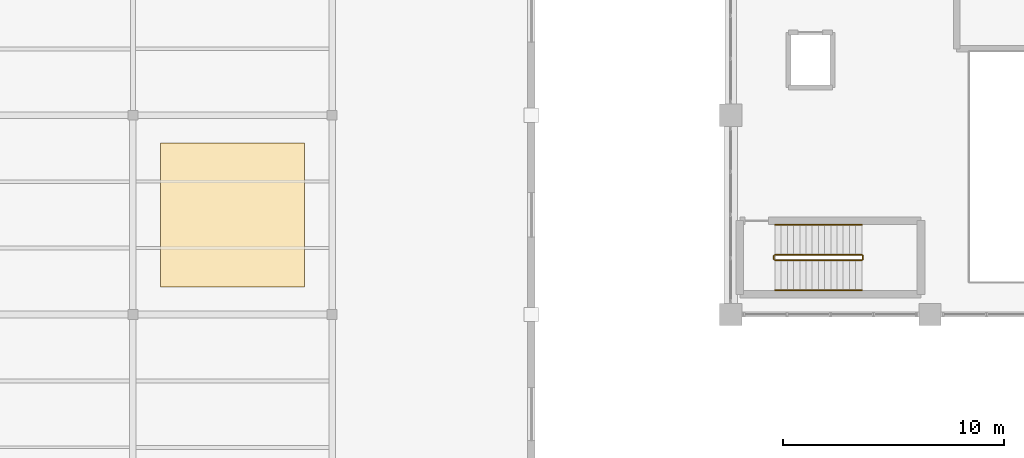
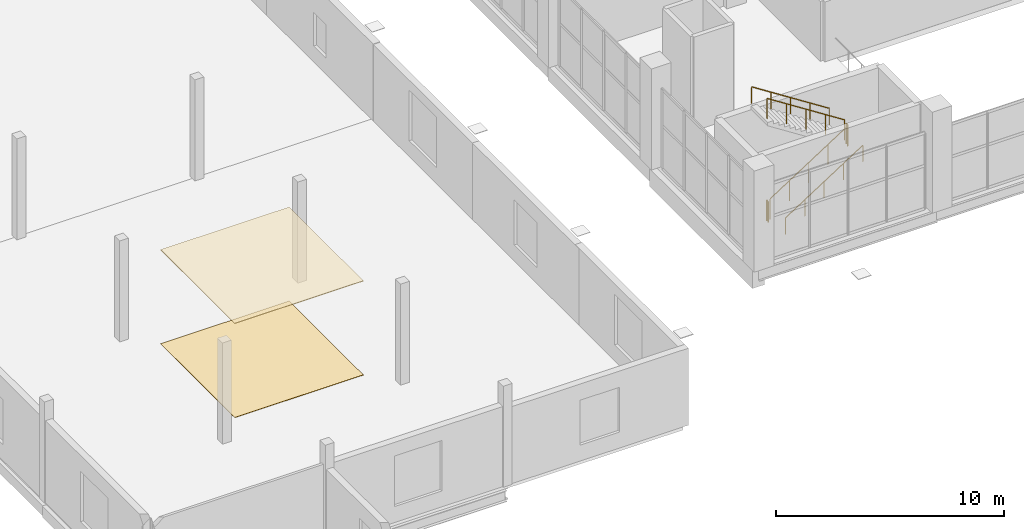
# One storey, part 138 of 147: 6 railings, 2 coverings.
"""IFC4 building model written with IfcOpenShell, lengths in metres."""

import ifcopenshell
import ifcopenshell.guid

model = None  # the IFC model being written
_history = None  # IfcOwnerHistory: only IFC2X3 demands one
_inside = {}  # id of a spatial element -> (the spatial element, [elements in it])
_under = {}  # id of a project, library or spatial element -> (it, [spatial elements below it])
_declared = {}  # id of a project -> (the project, [libraries it declares])
_typed = {}  # id of a type object -> (the type object, [elements of that type])
_made_of = {}  # id of a material, layer set ... -> (it, [elements and type objects made of it])


def new_model(schema):
    """Start an empty IFC model of exactly this schema.

    Asked for "IFC4X3", IfcOpenShell would pick the latest addendum, in which some entities
    have other attributes; the version numbers below select the first issue.
    IFC2X3 requires an IfcOwnerHistory on every rooted entity: one is made here for all.
    """
    global model, _history
    if schema == "IFC4X3":
        model = ifcopenshell.file(schema_version=(4, 3, 0, 0))
    else:
        model = ifcopenshell.file(schema=schema)
    _inside.clear()
    _under.clear()
    _declared.clear()
    _typed.clear()
    _made_of.clear()
    _history = None
    if model.schema == "IFC2X3":
        org = make("IfcOrganization", Name="unknown")
        user = make(
            "IfcPersonAndOrganization",
            ThePerson=make("IfcPerson", FamilyName="unknown"),
            TheOrganization=org,
        )
        app = make(
            "IfcApplication",
            ApplicationDeveloper=org,
            Version="unknown",
            ApplicationFullName="unknown",
            ApplicationIdentifier="unknown",
        )
        _history = make(
            "IfcOwnerHistory",
            OwningUser=user,
            OwningApplication=app,
            ChangeAction="ADDED",
            CreationDate=0,
        )
    return model


def make(cls, **values):
    """One entity of the class cls with the attributes given. An attribute that is None is left unset."""
    return model.create_entity(
        cls, **{name: value for name, value in values.items() if value is not None}
    )


def rooted(cls, **values):
    """An entity with a GlobalId (a new one), such as an element, a storey or a relation."""
    return make(cls, GlobalId=ifcopenshell.guid.new(), OwnerHistory=_history, **values)


def si_unit(unit_type, name, prefix=None):
    """IfcSIUnit, for example si_unit("LENGTHUNIT", "METRE", prefix="MILLI")."""
    return make("IfcSIUnit", UnitType=unit_type, Prefix=prefix, Name=name)


def assignment(units):
    """IfcUnitAssignment: the units of a project."""
    return None if units is None else make("IfcUnitAssignment", Units=units)


def point(xyz):
    """IfcCartesianPoint."""
    return None if xyz is None else make("IfcCartesianPoint", Coordinates=xyz)


def direction(xyz):
    """IfcDirection."""
    return None if xyz is None else make("IfcDirection", DirectionRatios=xyz)


def frame(location, z_axis=None, x_axis=None):
    """IfcAxis2Placement3D, a coordinate frame: its origin and axes. An axis left out is left unset."""
    return make(
        "IfcAxis2Placement3D",
        Location=point(location),
        Axis=direction(z_axis),
        RefDirection=direction(x_axis),
    )


def frame_2d(location, x_axis=None):
    """IfcAxis2Placement2D, a coordinate frame in the plane: its origin and x axis."""
    return make(
        "IfcAxis2Placement2D", Location=point(location), RefDirection=direction(x_axis)
    )


def origin():
    """The frame at (0, 0, 0) with its axes left unset."""
    return frame((0.0, 0.0, 0.0))


def origin_2d():
    """The frame at (0, 0) in the plane with its x axis left unset."""
    return frame_2d((0.0, 0.0))


def place(relative_to, where):
    """IfcLocalPlacement: puts the frame where relative to a parent placement (None: the world)."""
    return make(
        "IfcLocalPlacement", PlacementRelTo=relative_to, RelativePlacement=where
    )


def context(
    kind, dimensions, precision=None, world=None, true_north=None, identifier=None
):
    """IfcGeometricRepresentationContext, for example the 3D "Model" context."""
    return make(
        "IfcGeometricRepresentationContext",
        ContextIdentifier=identifier,
        ContextType=kind,
        CoordinateSpaceDimension=dimensions,
        Precision=precision,
        WorldCoordinateSystem=world,
        TrueNorth=true_north,
    )


def subcontext(parent, identifier, kind, view, scale=None):
    """IfcGeometricRepresentationSubContext, for example "Body" below "Model"."""
    return make(
        "IfcGeometricRepresentationSubContext",
        ContextIdentifier=identifier,
        ContextType=kind,
        ParentContext=parent,
        TargetScale=scale,
        TargetView=view,
    )


def project(units=None, contexts=None):
    """IfcProject with its units and contexts."""
    return rooted(
        "IfcProject",
        Name="project",
        RepresentationContexts=contexts,
        UnitsInContext=assignment(units),
    )


def spatial(cls, under=None, at=None, **own):
    """A site, building, storey or space (cls), placed at a placement, below another one or the project."""
    s = rooted(cls, ObjectPlacement=at, **own)
    if under is not None:
        _under.setdefault(under.id(), (under, []))[1].append(s)
    return s


def profile(cls, at=None, kind="AREA", **sizes):
    """A parametric profile (cls). Its sizes go by their IFC names, for example OverallWidth=200.0."""
    return make(cls, ProfileType=kind, Position=at, **sizes)


def rectangle(**sizes):
    """IfcRectangleProfileDef."""
    return profile("IfcRectangleProfileDef", **sizes)


def circle(**sizes):
    """IfcCircleProfileDef."""
    return profile("IfcCircleProfileDef", **sizes)


def extrude(swept, where, along, depth):
    """IfcExtrudedAreaSolid: the profile swept, set in the frame where, extruded along a direction by depth."""
    return make(
        "IfcExtrudedAreaSolid",
        SweptArea=swept,
        Position=where,
        ExtrudedDirection=direction(along),
        Depth=depth,
    )


def shape(context_of_items, identifier, shape_type, items):
    """IfcShapeRepresentation: the items that make up one representation, for example the "Body"."""
    return make(
        "IfcShapeRepresentation",
        ContextOfItems=context_of_items,
        RepresentationIdentifier=identifier,
        RepresentationType=shape_type,
        Items=items,
    )


def material(Name=None, Category=None):
    """IfcMaterial."""
    return make("IfcMaterial", Name=Name, Category=Category)


def layer(
    of_material, thickness, ventilated=None, Name=None, Category=None, Priority=None
):
    """IfcMaterialLayer: one layer of a wall or slab, of a material (None: an air gap)."""
    return make(
        "IfcMaterialLayer",
        Material=of_material,
        LayerThickness=thickness,
        IsVentilated=ventilated,
        Name=Name,
        Category=Category,
        Priority=Priority,
    )


def layer_set(layers, Name=None):
    """IfcMaterialLayerSet."""
    return make("IfcMaterialLayerSet", MaterialLayers=layers, LayerSetName=Name)


def made_of(thing, what):
    """Note that an element or type object is made of a material, layer set ...; save() writes the relation."""
    if what is not None:
        _made_of.setdefault(what.id(), (what, []))[1].append(thing)
    return thing


def type_object(cls, material=None, **own):
    """A type object (cls), such as IfcWallType, which elements share."""
    return made_of(rooted(cls, **own), material)


def element(
    cls,
    number,
    at=None,
    inside=None,
    cuts=None,
    type_object=None,
    material=None,
    context=None,
    identifier="Body",
    shape_type=None,
    held_by="IfcProductDefinitionShape",
    body=None,
    shapes=None,
    **own,
):
    """One element of the class cls, such as IfcWall. Its Tag is "e" and its number.

    at: its placement. inside: the storey or other place that contains it. cuts: it is an
    opening in that element (IfcRelVoidsElement). A single representation is given by context,
    identifier, shape_type and body (its items); several are given by shapes. held_by: the class
    of the entity that holds the representations. save() writes the other relations.
    """
    e = rooted(cls, Tag="e%d" % number, ObjectPlacement=at, **own)
    if body is not None:
        shapes = [shape(context, identifier, shape_type, body)]
    if shapes is not None:
        e.Representation = make(held_by, Representations=shapes)
    if inside is not None:
        _inside.setdefault(inside.id(), (inside, []))[1].append(e)
    if cuts is not None:
        rooted(
            "IfcRelVoidsElement", RelatingBuildingElement=cuts, RelatedOpeningElement=e
        )
    if type_object is not None:
        _typed.setdefault(type_object.id(), (type_object, []))[1].append(e)
    return made_of(e, material)


def aggregate(whole, parts):
    """IfcRelAggregates: a whole, such as a stair, and the parts it consists of."""
    return rooted("IfcRelAggregates", RelatingObject=whole, RelatedObjects=parts)


def save(model, path):
    """Write the relations noted so far, then the file.

    IfcRelAggregates (storeys below a building ...), IfcRelContainedInSpatialStructure (elements
    in a storey), IfcRelDefinesByType, IfcRelAssociatesMaterial and IfcRelDeclares: one each for
    every whole, place, type object, material and project.
    """
    for whole, parts in _under.values():
        aggregate(whole, parts)
    for where, things in _inside.values():
        rooted(
            "IfcRelContainedInSpatialStructure",
            RelatedElements=things,
            RelatingStructure=where,
        )
    for kind, things in _typed.values():
        rooted("IfcRelDefinesByType", RelatedObjects=things, RelatingType=kind)
    for what, things in _made_of.values():
        rooted("IfcRelAssociatesMaterial", RelatedObjects=things, RelatingMaterial=what)
    for by, libraries in _declared.values():
        rooted("IfcRelDeclares", RelatingContext=by, RelatedDefinitions=libraries)
    model.write(path)


model = new_model("IFC4")

# Units and contexts
model_context = context("Model", 3, precision=1e-05, world=origin(), true_north=direction((0.0, 1.0)))
body_context = subcontext(model_context, "Body", "Model", "MODEL_VIEW")
ifc_project = project(units=[si_unit("LENGTHUNIT", "METRE"), si_unit("AREAUNIT", "SQUARE_METRE"), si_unit("VOLUMEUNIT", "CUBIC_METRE"), si_unit("PLANEANGLEUNIT", "RADIAN"), si_unit("MASSUNIT", "GRAM", prefix="KILO")], contexts=[model_context])

# Site, building, storey
site_placement = place(None, origin())
site = spatial("IfcSite", under=ifc_project, at=site_placement, CompositionType="ELEMENT")
building_placement = place(site_placement, origin())
building = spatial("IfcBuilding", under=site, at=building_placement, Name="Sundgate Opera House", CompositionType="ELEMENT")
storey_placement = place(building_placement, frame((0.0, 0.0, 6.0)))
storey = spatial("IfcBuildingStorey", under=building, at=storey_placement, Name="L01", CompositionType="ELEMENT", Elevation=6.0)

# Coverings
ifc_material_1 = material(Name="Acoustic gypsum plasterboard ceiling", Category="gypsum")
ifc_layer_1 = layer(ifc_material_1, 0.034912109375)
ifc_layer_set_1 = layer_set([ifc_layer_1], Name="Acoustic gypsum plasterboard ceiling")
covering_type_1 = type_object("IfcCoveringType", Name="CV-CEIL-GYP", PredefinedType="CEILING", material=ifc_layer_set_1)
covering_1_placement = place(storey_placement, frame((13.5, 46.5, 5.01513671875), z_axis=(0.0, 0.0, 1.0), x_axis=(1.0, 0.0, 0.0)))
element("IfcCovering", 1, at=covering_1_placement, inside=storey, type_object=covering_type_1, Name="L01 Acoustic Ceiling CV0129", PredefinedType="CEILING", context=body_context, shape_type="SweptSolid", body=[
    extrude(rectangle(XDim=6.5, YDim=6.5, at=origin_2d()), origin(), (0.0, 0.0, 1.0), 0.034912109375),
])
ifc_material_2 = material(Name="Honed Komstad limestone floor finish", Category="masonry")
ifc_layer_2 = layer(ifc_material_2, 0.02001953125)
ifc_layer_set_2 = layer_set([ifc_layer_2], Name="Honed Komstad limestone floor finish")
covering_type_2 = type_object("IfcCoveringType", Name="CV-FLR-STONE", PredefinedType="FLOORING", material=ifc_layer_set_2)
covering_2_placement = place(storey_placement, frame((13.5, 46.5, 0.0), z_axis=(0.0, 0.0, 1.0), x_axis=(1.0, 0.0, 0.0)))
element("IfcCovering", 2, at=covering_2_placement, inside=storey, type_object=covering_type_2, Name="L01 Floor Finish CV0139", PredefinedType="FLOORING", context=body_context, shape_type="SweptSolid", body=[
    extrude(rectangle(XDim=6.5, YDim=6.5, at=origin_2d()), origin(), (0.0, 0.0, 1.0), 0.02001953125),
])

# Railings
ifc_material_3 = material(Name="Painted steel S275 guardrail", Category="steel")
railing_type_1 = type_object("IfcRailingType", Name="RL-STAIR-GUARD-1100", PredefinedType="GUARDRAIL", material=ifc_material_3)
railing_1_placement = place(storey_placement, frame((38.0, 44.449951171875, 0.179931640625)))
element("IfcRailing", 3, at=railing_1_placement, inside=storey, type_object=railing_type_1, Name="ST01L01 Guardrail RL0022", PredefinedType="GUARDRAIL", context=body_context, shape_type="SweptSolid", body=[
    extrude(circle(Radius=0.02392578125, at=origin_2d()), frame((0.0, 0.0, 1.076171875), z_axis=(0.841171666519, 0.0, 0.540768182723), x_axis=(0.0, 1.0, 0.0)), (0.0, 0.0, 1.0), 4.66015625),
    extrude(circle(Radius=0.02099609375, at=origin_2d()), origin(), (0.0, 0.0, 1.0), 1.052001953125),
    extrude(circle(Radius=0.02099609375, at=origin_2d()), frame((0.97998046875, 0.0, 0.6298828125)), (0.0, 0.0, 1.0), 1.052001953125),
    extrude(circle(Radius=0.02099609375, at=origin_2d()), frame((1.9599609375, 0.0, 1.260009765625)), (0.0, 0.0, 1.0), 1.052001953125),
    extrude(circle(Radius=0.02099609375, at=origin_2d()), frame((2.93994140625, 0.0, 1.89013671875)), (0.0, 0.0, 1.0), 1.052001953125),
    extrude(circle(Radius=0.02099609375, at=origin_2d()), frame((3.919921875, 0.0, 2.52001953125)), (0.0, 0.0, 1.0), 1.052001953125),
])
railing_2_placement = place(storey_placement, frame((41.969970703125, 44.5, 2.699951171875)))
element("IfcRailing", 4, at=railing_2_placement, inside=storey, type_object=railing_type_1, Name="ST01L01 Guardrail RL0023", PredefinedType="GUARDRAIL", context=body_context, shape_type="SweptSolid", body=[
    extrude(circle(Radius=0.02392578125, at=origin_2d()), frame((0.0, 0.0, 1.076171875), z_axis=(0.0, 1.0, 0.0), x_axis=(-1.0, 0.0, 0.0)), (0.0, 0.0, 1.0), 0.14990234375),
    extrude(circle(Radius=0.02099609375, at=origin_2d()), origin(), (0.0, 0.0, 1.0), 1.052001953125),
    extrude(circle(Radius=0.02099609375, at=origin_2d()), frame((0.0, 0.14990234375, 0.0)), (0.0, 0.0, 1.0), 1.052001953125),
])
railing_3_placement = place(storey_placement, frame((41.919921875, 44.699951171875, 2.8798828125)))
element("IfcRailing", 5, at=railing_3_placement, inside=storey, type_object=railing_type_1, Name="ST01L01 Guardrail RL0024", PredefinedType="GUARDRAIL", context=body_context, shape_type="SweptSolid", body=[
    extrude(circle(Radius=0.02392578125, at=origin_2d()), frame((0.0, 0.0, 1.076171875), z_axis=(-0.841171666519, 0.0, 0.540768182723), x_axis=(0.0, -1.0, 0.0)), (0.0, 0.0, 1.0), 4.66015625),
    extrude(circle(Radius=0.02099609375, at=origin_2d()), origin(), (0.0, 0.0, 1.0), 1.052001953125),
    extrude(circle(Radius=0.02099609375, at=origin_2d()), frame((-0.97998046875, 0.0, 0.6298828125)), (0.0, 0.0, 1.0), 1.052001953125),
    extrude(circle(Radius=0.02099609375, at=origin_2d()), frame((-1.9599609375, 0.0, 1.260009765625)), (0.0, 0.0, 1.0), 1.052001953125),
    extrude(circle(Radius=0.02099609375, at=origin_2d()), frame((-2.93994140625, 0.0, 1.89013671875)), (0.0, 0.0, 1.0), 1.052001953125),
    extrude(circle(Radius=0.02099609375, at=origin_2d()), frame((-3.919921875, 0.0, 2.52001953125)), (0.0, 0.0, 1.0), 1.052001953125),
])
railing_4_placement = place(storey_placement, frame((37.949951171875, 44.5, 0.0)))
element("IfcRailing", 6, at=railing_4_placement, inside=storey, type_object=railing_type_1, Name="ST01L01 Guardrail RL0025", PredefinedType="GUARDRAIL", context=body_context, shape_type="SweptSolid", body=[
    extrude(circle(Radius=0.02392578125, at=origin_2d()), frame((0.0, 0.0, 1.076171875), z_axis=(0.0, 1.0, 0.0), x_axis=(-1.0, 0.0, 0.0)), (0.0, 0.0, 1.0), 0.14990234375),
    extrude(circle(Radius=0.02099609375, at=origin_2d()), origin(), (0.0, 0.0, 1.0), 1.052001953125),
    extrude(circle(Radius=0.02099609375, at=origin_2d()), frame((0.0, 0.14990234375, 0.0)), (0.0, 0.0, 1.0), 1.052001953125),
])
ifc_material_4 = material(Name="Brushed stainless steel handrail", Category="steel")
railing_type_2 = type_object("IfcRailingType", Name="RL-STAIR-HAND-900", PredefinedType="HANDRAIL", material=ifc_material_4)
railing_5_placement = place(storey_placement, frame((38.0, 43.10009765625, 0.179931640625)))
element("IfcRailing", 7, at=railing_5_placement, inside=storey, type_object=railing_type_2, Name="ST01L01 Handrail RL0026", PredefinedType="HANDRAIL", context=body_context, shape_type="SweptSolid", body=[
    extrude(circle(Radius=0.02392578125, at=origin_2d()), frame((0.0, 0.0, 0.8759765625), z_axis=(0.841171666519, 0.0, 0.540768182723), x_axis=(0.0, 1.0, 0.0)), (0.0, 0.0, 1.0), 4.66015625),
    extrude(circle(Radius=0.02099609375, at=origin_2d()), origin(), (0.0, 0.0, 1.0), 0.851806640625),
    extrude(circle(Radius=0.02099609375, at=origin_2d()), frame((0.97998046875, 0.0, 0.6298828125)), (0.0, 0.0, 1.0), 0.851806640625),
    extrude(circle(Radius=0.02099609375, at=origin_2d()), frame((1.9599609375, 0.0, 1.260009765625)), (0.0, 0.0, 1.0), 0.851806640625),
    extrude(circle(Radius=0.02099609375, at=origin_2d()), frame((2.93994140625, 0.0, 1.89013671875)), (0.0, 0.0, 1.0), 0.851806640625),
    extrude(circle(Radius=0.02099609375, at=origin_2d()), frame((3.919921875, 0.0, 2.52001953125)), (0.0, 0.0, 1.0), 0.851806640625),
])
railing_6_placement = place(storey_placement, frame((41.919921875, 46.050048828125, 2.8798828125)))
element("IfcRailing", 8, at=railing_6_placement, inside=storey, type_object=railing_type_2, Name="ST01L01 Handrail RL0027", PredefinedType="HANDRAIL", context=body_context, shape_type="SweptSolid", body=[
    extrude(circle(Radius=0.02392578125, at=origin_2d()), frame((0.0, 0.0, 0.8759765625), z_axis=(-0.841171666519, 0.0, 0.540768182723), x_axis=(0.0, -1.0, 0.0)), (0.0, 0.0, 1.0), 4.66015625),
    extrude(circle(Radius=0.02099609375, at=origin_2d()), origin(), (0.0, 0.0, 1.0), 0.851806640625),
    extrude(circle(Radius=0.02099609375, at=origin_2d()), frame((-0.97998046875, 0.0, 0.6298828125)), (0.0, 0.0, 1.0), 0.851806640625),
    extrude(circle(Radius=0.02099609375, at=origin_2d()), frame((-1.9599609375, 0.0, 1.260009765625)), (0.0, 0.0, 1.0), 0.851806640625),
    extrude(circle(Radius=0.02099609375, at=origin_2d()), frame((-2.93994140625, 0.0, 1.89013671875)), (0.0, 0.0, 1.0), 0.851806640625),
    extrude(circle(Radius=0.02099609375, at=origin_2d()), frame((-3.919921875, 0.0, 2.52001953125)), (0.0, 0.0, 1.0), 0.851806640625),
])

save(model, "model.ifc")
